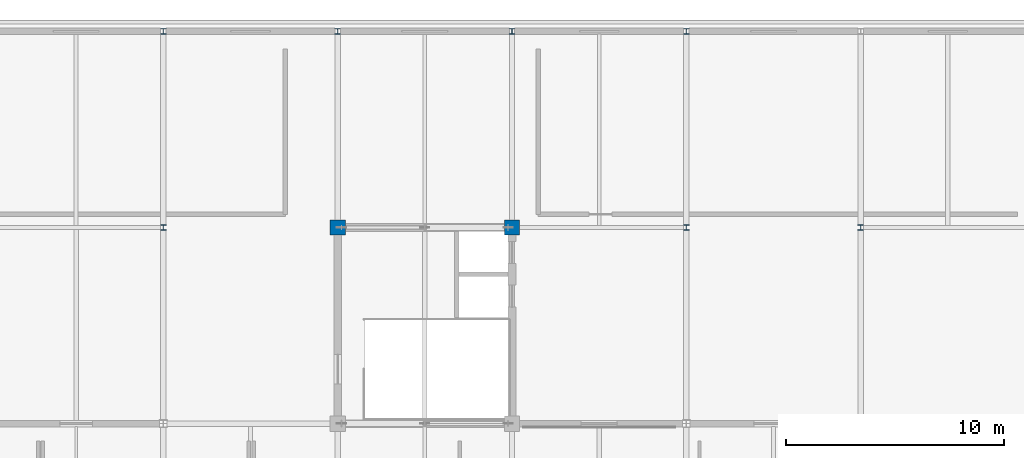
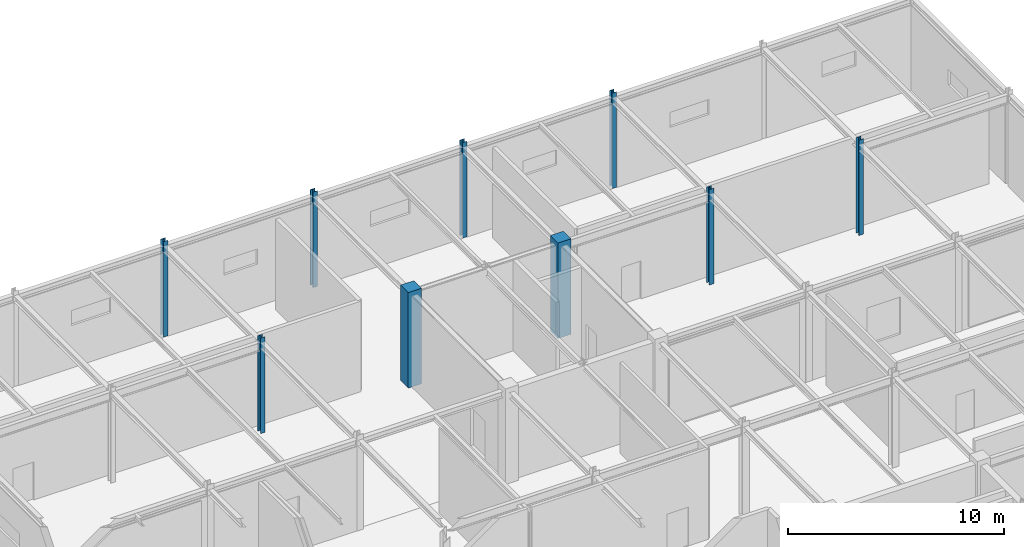
# One storey, part 15 of 108: 9 columns.
"""IFC4 building model written with IfcOpenShell, lengths in metres."""

from ifc_helpers import new_model, si_unit, direction, frame, origin, origin_2d, place, context, subcontext, project, spatial, rectangle, i_section, extrude, material, material_profile, profile_set, type_object, element, save


model = new_model("IFC4")

# Units and contexts
model_context = context("Model", 3, precision=1e-05, world=origin(), true_north=direction((0.0, 1.0)))
body_context = subcontext(model_context, "Body", "Model", "MODEL_VIEW")
ifc_project = project(units=[si_unit("LENGTHUNIT", "METRE"), si_unit("AREAUNIT", "SQUARE_METRE"), si_unit("VOLUMEUNIT", "CUBIC_METRE"), si_unit("PLANEANGLEUNIT", "RADIAN"), si_unit("MASSUNIT", "GRAM", prefix="KILO")], contexts=[model_context])

# Site, building, storey
site_placement = place(None, origin())
site = spatial("IfcSite", under=ifc_project, at=site_placement, CompositionType="ELEMENT")
building_placement = place(site_placement, origin())
building = spatial("IfcBuilding", under=site, at=building_placement, Name="Zhaolan Boulevard Law Courts", CompositionType="ELEMENT")
storey_placement = place(building_placement, frame((0.0, 0.0, 10.800048828125)))
storey = spatial("IfcBuildingStorey", under=building, at=storey_placement, Name="L02", CompositionType="ELEMENT", Elevation=10.800048828125)

# Columns
ifc_material_1 = material(Name="Structural steel Q355B", Category="steel")
ifc_material_profile_1 = material_profile(ifc_material_1, i_section(OverallWidth=0.25, OverallDepth=0.25, WebThickness=0.009033203125, FlangeThickness=0.013916015625, FilletRadius=0.01611328125, at=origin_2d()), Name="HW250x250")
ifc_profile_set_1 = profile_set([ifc_material_profile_1], Name="Structural steel Q355B")
column_type_1 = type_object("IfcColumnType", Name="COL HW250", PredefinedType="COLUMN", material=ifc_profile_set_1)
for number, where, z_axis, x_axis, name in (
    (1, (68.0, 103.0, 0.0), (0.0, 0.0, 1.0), (1.0, 0.0, 0.0), "Column C-9P (L02)"),
    (2, (68.0, 112.0, 0.0), (0.0, 0.0, 1.0), (1.0, 0.0, 0.0), "Column C-9Q (L02)"),
    (3, (76.0, 112.0, 0.0), (0.0, 0.0, 1.0), (1.0, 0.0, 0.0), "Column C-10Q (L02)"),
    (4, (84.0, 112.0, 0.0), (0.0, 0.0, 1.0), (1.0, 0.0, 0.0), "Column C-11Q (L02)"),
    (5, (92.0, 103.0, 0.0), (0.0, 0.0, 1.0), (1.0, 0.0, 0.0), "Column C-12P (L02)"),
    (6, (92.0, 112.0, 0.0), (0.0, 0.0, 1.0), (1.0, 0.0, 0.0), "Column C-12Q (L02)"),
    (7, (100.0, 103.0, 0.0), (0.0, 0.0, 1.0), (1.0, 0.0, 0.0), "Column C-13P (L02)"),
):
    element("IfcColumn", number, at=place(storey_placement, frame(where, z_axis=z_axis, x_axis=x_axis)), inside=storey, type_object=column_type_1, Name=name, PredefinedType="COLUMN", context=body_context, shape_type="SweptSolid", body=[
        extrude(i_section(OverallWidth=0.25, OverallDepth=0.25, WebThickness=0.009033203125, FlangeThickness=0.013916015625, FilletRadius=0.01611328125, at=origin_2d()), origin(), (0.0, 0.0, 1.0), 5.39990234375),
    ])
ifc_material_2 = material(Name="Concrete C50", Category="concrete")
ifc_material_profile_2 = material_profile(ifc_material_2, rectangle(XDim=0.699951171875, YDim=0.699951171875, at=origin_2d()), Name="RC700x700")
ifc_profile_set_2 = profile_set([ifc_material_profile_2], Name="Concrete C50")
column_type_2 = type_object("IfcColumnType", Name="COL RC700", PredefinedType="COLUMN", material=ifc_profile_set_2)
for number, where, z_axis, x_axis, name in (
    (8, (76.0, 103.0, 0.0), (0.0, 0.0, 1.0), (1.0, 0.0, 0.0), "Column C-10P (L02)"),
    (9, (84.0, 103.0, 0.0), (0.0, 0.0, 1.0), (1.0, 0.0, 0.0), "Column C-11P (L02)"),
):
    element("IfcColumn", number, at=place(storey_placement, frame(where, z_axis=z_axis, x_axis=x_axis)), inside=storey, type_object=column_type_2, Name=name, PredefinedType="COLUMN", context=body_context, shape_type="SweptSolid", body=[
        extrude(rectangle(XDim=0.699951171875, YDim=0.699951171875, at=origin_2d()), origin(), (0.0, 0.0, 1.0), 5.39990234375),
    ])

save(model, "model.ifc")
